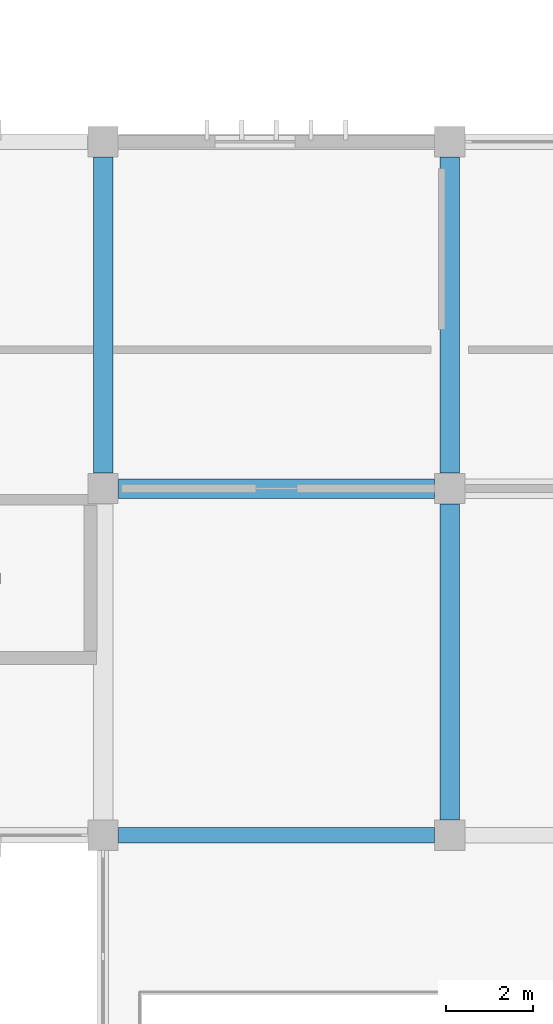
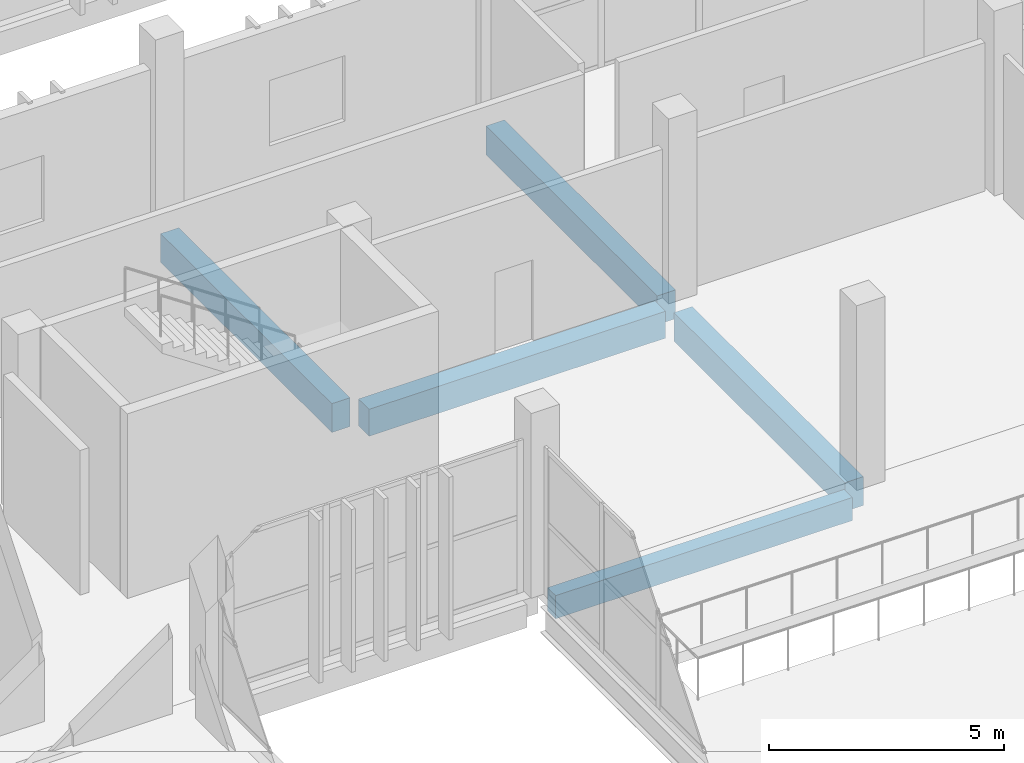
# One storey, part 54 of 106: 5 beams.
"""IFC4 building model written with IfcOpenShell, lengths in metres."""

import ifcopenshell
import ifcopenshell.guid

model = None  # the IFC model being written
_history = None  # IfcOwnerHistory: only IFC2X3 demands one
_inside = {}  # id of a spatial element -> (the spatial element, [elements in it])
_under = {}  # id of a project, library or spatial element -> (it, [spatial elements below it])
_declared = {}  # id of a project -> (the project, [libraries it declares])
_typed = {}  # id of a type object -> (the type object, [elements of that type])
_made_of = {}  # id of a material, layer set ... -> (it, [elements and type objects made of it])


def new_model(schema):
    """Start an empty IFC model of exactly this schema.

    Asked for "IFC4X3", IfcOpenShell would pick the latest addendum, in which some entities
    have other attributes; the version numbers below select the first issue.
    IFC2X3 requires an IfcOwnerHistory on every rooted entity: one is made here for all.
    """
    global model, _history
    if schema == "IFC4X3":
        model = ifcopenshell.file(schema_version=(4, 3, 0, 0))
    else:
        model = ifcopenshell.file(schema=schema)
    _inside.clear()
    _under.clear()
    _declared.clear()
    _typed.clear()
    _made_of.clear()
    _history = None
    if model.schema == "IFC2X3":
        org = make("IfcOrganization", Name="unknown")
        user = make(
            "IfcPersonAndOrganization",
            ThePerson=make("IfcPerson", FamilyName="unknown"),
            TheOrganization=org,
        )
        app = make(
            "IfcApplication",
            ApplicationDeveloper=org,
            Version="unknown",
            ApplicationFullName="unknown",
            ApplicationIdentifier="unknown",
        )
        _history = make(
            "IfcOwnerHistory",
            OwningUser=user,
            OwningApplication=app,
            ChangeAction="ADDED",
            CreationDate=0,
        )
    return model


def make(cls, **values):
    """One entity of the class cls with the attributes given. An attribute that is None is left unset."""
    return model.create_entity(
        cls, **{name: value for name, value in values.items() if value is not None}
    )


def rooted(cls, **values):
    """An entity with a GlobalId (a new one), such as an element, a storey or a relation."""
    return make(cls, GlobalId=ifcopenshell.guid.new(), OwnerHistory=_history, **values)


def si_unit(unit_type, name, prefix=None):
    """IfcSIUnit, for example si_unit("LENGTHUNIT", "METRE", prefix="MILLI")."""
    return make("IfcSIUnit", UnitType=unit_type, Prefix=prefix, Name=name)


def assignment(units):
    """IfcUnitAssignment: the units of a project."""
    return None if units is None else make("IfcUnitAssignment", Units=units)


def point(xyz):
    """IfcCartesianPoint."""
    return None if xyz is None else make("IfcCartesianPoint", Coordinates=xyz)


def direction(xyz):
    """IfcDirection."""
    return None if xyz is None else make("IfcDirection", DirectionRatios=xyz)


def frame(location, z_axis=None, x_axis=None):
    """IfcAxis2Placement3D, a coordinate frame: its origin and axes. An axis left out is left unset."""
    return make(
        "IfcAxis2Placement3D",
        Location=point(location),
        Axis=direction(z_axis),
        RefDirection=direction(x_axis),
    )


def frame_2d(location, x_axis=None):
    """IfcAxis2Placement2D, a coordinate frame in the plane: its origin and x axis."""
    return make(
        "IfcAxis2Placement2D", Location=point(location), RefDirection=direction(x_axis)
    )


def origin():
    """The frame at (0, 0, 0) with its axes left unset."""
    return frame((0.0, 0.0, 0.0))


def origin_2d():
    """The frame at (0, 0) in the plane with its x axis left unset."""
    return frame_2d((0.0, 0.0))


def place(relative_to, where):
    """IfcLocalPlacement: puts the frame where relative to a parent placement (None: the world)."""
    return make(
        "IfcLocalPlacement", PlacementRelTo=relative_to, RelativePlacement=where
    )


def context(
    kind, dimensions, precision=None, world=None, true_north=None, identifier=None
):
    """IfcGeometricRepresentationContext, for example the 3D "Model" context."""
    return make(
        "IfcGeometricRepresentationContext",
        ContextIdentifier=identifier,
        ContextType=kind,
        CoordinateSpaceDimension=dimensions,
        Precision=precision,
        WorldCoordinateSystem=world,
        TrueNorth=true_north,
    )


def subcontext(parent, identifier, kind, view, scale=None):
    """IfcGeometricRepresentationSubContext, for example "Body" below "Model"."""
    return make(
        "IfcGeometricRepresentationSubContext",
        ContextIdentifier=identifier,
        ContextType=kind,
        ParentContext=parent,
        TargetScale=scale,
        TargetView=view,
    )


def project(units=None, contexts=None):
    """IfcProject with its units and contexts."""
    return rooted(
        "IfcProject",
        Name="project",
        RepresentationContexts=contexts,
        UnitsInContext=assignment(units),
    )


def spatial(cls, under=None, at=None, **own):
    """A site, building, storey or space (cls), placed at a placement, below another one or the project."""
    s = rooted(cls, ObjectPlacement=at, **own)
    if under is not None:
        _under.setdefault(under.id(), (under, []))[1].append(s)
    return s


def profile(cls, at=None, kind="AREA", **sizes):
    """A parametric profile (cls). Its sizes go by their IFC names, for example OverallWidth=200.0."""
    return make(cls, ProfileType=kind, Position=at, **sizes)


def rectangle(**sizes):
    """IfcRectangleProfileDef."""
    return profile("IfcRectangleProfileDef", **sizes)


def extrude(swept, where, along, depth):
    """IfcExtrudedAreaSolid: the profile swept, set in the frame where, extruded along a direction by depth."""
    return make(
        "IfcExtrudedAreaSolid",
        SweptArea=swept,
        Position=where,
        ExtrudedDirection=direction(along),
        Depth=depth,
    )


def shape(context_of_items, identifier, shape_type, items):
    """IfcShapeRepresentation: the items that make up one representation, for example the "Body"."""
    return make(
        "IfcShapeRepresentation",
        ContextOfItems=context_of_items,
        RepresentationIdentifier=identifier,
        RepresentationType=shape_type,
        Items=items,
    )


def material(Name=None, Category=None):
    """IfcMaterial."""
    return make("IfcMaterial", Name=Name, Category=Category)


def material_profile(
    of_material, cross_section, Name=None, Category=None, Priority=None
):
    """IfcMaterialProfile: a cross section and its material."""
    return make(
        "IfcMaterialProfile",
        Name=Name,
        Material=of_material,
        Profile=cross_section,
        Priority=Priority,
        Category=Category,
    )


def profile_set(profiles, Name=None, composite=None):
    """IfcMaterialProfileSet."""
    return make(
        "IfcMaterialProfileSet",
        Name=Name,
        MaterialProfiles=profiles,
        CompositeProfile=composite,
    )


def made_of(thing, what):
    """Note that an element or type object is made of a material, layer set ...; save() writes the relation."""
    if what is not None:
        _made_of.setdefault(what.id(), (what, []))[1].append(thing)
    return thing


def type_object(cls, material=None, **own):
    """A type object (cls), such as IfcWallType, which elements share."""
    return made_of(rooted(cls, **own), material)


def element(
    cls,
    number,
    at=None,
    inside=None,
    cuts=None,
    type_object=None,
    material=None,
    context=None,
    identifier="Body",
    shape_type=None,
    held_by="IfcProductDefinitionShape",
    body=None,
    shapes=None,
    **own,
):
    """One element of the class cls, such as IfcWall. Its Tag is "e" and its number.

    at: its placement. inside: the storey or other place that contains it. cuts: it is an
    opening in that element (IfcRelVoidsElement). A single representation is given by context,
    identifier, shape_type and body (its items); several are given by shapes. held_by: the class
    of the entity that holds the representations. save() writes the other relations.
    """
    e = rooted(cls, Tag="e%d" % number, ObjectPlacement=at, **own)
    if body is not None:
        shapes = [shape(context, identifier, shape_type, body)]
    if shapes is not None:
        e.Representation = make(held_by, Representations=shapes)
    if inside is not None:
        _inside.setdefault(inside.id(), (inside, []))[1].append(e)
    if cuts is not None:
        rooted(
            "IfcRelVoidsElement", RelatingBuildingElement=cuts, RelatedOpeningElement=e
        )
    if type_object is not None:
        _typed.setdefault(type_object.id(), (type_object, []))[1].append(e)
    return made_of(e, material)


def aggregate(whole, parts):
    """IfcRelAggregates: a whole, such as a stair, and the parts it consists of."""
    return rooted("IfcRelAggregates", RelatingObject=whole, RelatedObjects=parts)


def save(model, path):
    """Write the relations noted so far, then the file.

    IfcRelAggregates (storeys below a building ...), IfcRelContainedInSpatialStructure (elements
    in a storey), IfcRelDefinesByType, IfcRelAssociatesMaterial and IfcRelDeclares: one each for
    every whole, place, type object, material and project.
    """
    for whole, parts in _under.values():
        aggregate(whole, parts)
    for where, things in _inside.values():
        rooted(
            "IfcRelContainedInSpatialStructure",
            RelatedElements=things,
            RelatingStructure=where,
        )
    for kind, things in _typed.values():
        rooted("IfcRelDefinesByType", RelatedObjects=things, RelatingType=kind)
    for what, things in _made_of.values():
        rooted("IfcRelAssociatesMaterial", RelatedObjects=things, RelatingMaterial=what)
    for by, libraries in _declared.values():
        rooted("IfcRelDeclares", RelatingContext=by, RelatedDefinitions=libraries)
    model.write(path)


model = new_model("IFC4")

# Units and contexts
model_context = context("Model", 3, precision=1e-05, world=origin(), true_north=direction((0.0, 1.0)))
body_context = subcontext(model_context, "Body", "Model", "MODEL_VIEW")
ifc_project = project(units=[si_unit("LENGTHUNIT", "METRE"), si_unit("AREAUNIT", "SQUARE_METRE"), si_unit("VOLUMEUNIT", "CUBIC_METRE"), si_unit("PLANEANGLEUNIT", "RADIAN"), si_unit("MASSUNIT", "GRAM", prefix="KILO")], contexts=[model_context])

# Site, building, storey
site_placement = place(None, origin())
site = spatial("IfcSite", under=ifc_project, at=site_placement, CompositionType="ELEMENT")
building_placement = place(site_placement, origin())
building = spatial("IfcBuilding", under=site, at=building_placement, Name="Jelvoka-Kovrelna Polytechnic", CompositionType="ELEMENT")
storey_placement = place(building_placement, frame((0.0, 0.0, 4.800048828125)))
storey = spatial("IfcBuildingStorey", under=building, at=storey_placement, Name="L02", CompositionType="ELEMENT", Elevation=4.800048828125)

# Beams
ifc_material_1 = material(Name="Concrete C40/50", Category="concrete")
ifc_material_profile_1 = material_profile(ifc_material_1, rectangle(XDim=0.449951171875, YDim=0.699951171875, at=origin_2d()), Name="RC 450x700")
ifc_profile_set_1 = profile_set([ifc_material_profile_1], Name="Concrete C40/50")
beam_type_1 = type_object("IfcBeamType", Name="Beam_RC_450x700", PredefinedType="BEAM", material=ifc_profile_set_1)
beam_1_placement = place(storey_placement, frame((160.35498046875, 40.0, -0.614990234375), z_axis=(1.0, 0.0, 0.0), x_axis=(0.0, 1.0, 0.0)))
element("IfcBeam", 1, at=beam_1_placement, inside=storey, type_object=beam_type_1, Name="L02 beam 0721", PredefinedType="BEAM", context=body_context, shape_type="SweptSolid", body=[
    extrude(rectangle(XDim=0.449951171875, YDim=0.699951171875, at=origin_2d()), origin(), (0.0, 0.0, 1.0), 7.2900390625),
])
ifc_material_2 = material(Name="Concrete C40/50", Category="concrete")
ifc_material_profile_2 = material_profile(ifc_material_2, rectangle(XDim=0.449951171875, YDim=0.75, at=origin_2d()), Name="RC 450x750")
ifc_profile_set_2 = profile_set([ifc_material_profile_2], Name="Concrete C40/50")
beam_type_2 = type_object("IfcBeamType", Name="Beam_RC_450x750", PredefinedType="BEAM", material=ifc_profile_set_2)
for number, where, z_axis, x_axis, name in (
    (2, (160.0, 40.35498046875, -0.64013671875), (0.0, 1.0, 0.0), (-1.0, 0.0, 0.0), "L02 beam 0744"),
    (3, (168.0, 32.35498046875, -0.64013671875), (0.0, 1.0, 0.0), (-1.0, 0.0, 0.0), "L02 beam 0745"),
    (4, (168.0, 40.35498046875, -0.64013671875), (0.0, 1.0, 0.0), (-1.0, 0.0, 0.0), "L02 beam 0746"),
):
    element("IfcBeam", number, at=place(storey_placement, frame(where, z_axis=z_axis, x_axis=x_axis)), inside=storey, type_object=beam_type_2, Name=name, PredefinedType="BEAM", context=body_context, shape_type="SweptSolid", body=[
        extrude(rectangle(XDim=0.449951171875, YDim=0.75, at=origin_2d()), origin(), (0.0, 0.0, 1.0), 7.2900390625),
    ])
ifc_material_3 = material(Name="Concrete C40/50", Category="concrete")
ifc_material_profile_3 = material_profile(ifc_material_3, rectangle(XDim=0.35009765625, YDim=0.60009765625, at=origin_2d()), Name="RC 350x600")
ifc_profile_set_3 = profile_set([ifc_material_profile_3], Name="Concrete C40/50")
beam_type_3 = type_object("IfcBeamType", Name="Spandrel_RC_350x600", PredefinedType="SPANDREL", material=ifc_profile_set_3)
beam_2_placement = place(storey_placement, frame((160.35498046875, 32.0, -0.5849609375), z_axis=(1.0, 0.0, 0.0), x_axis=(0.0, 1.0, 0.0)))
element("IfcBeam", 5, at=beam_2_placement, inside=storey, type_object=beam_type_3, Name="L02 beam 0182", PredefinedType="SPANDREL", context=body_context, shape_type="SweptSolid", body=[
    extrude(rectangle(XDim=0.35009765625, YDim=0.60009765625, at=origin_2d()), origin(), (0.0, 0.0, 1.0), 7.2900390625),
])

save(model, "model.ifc")
